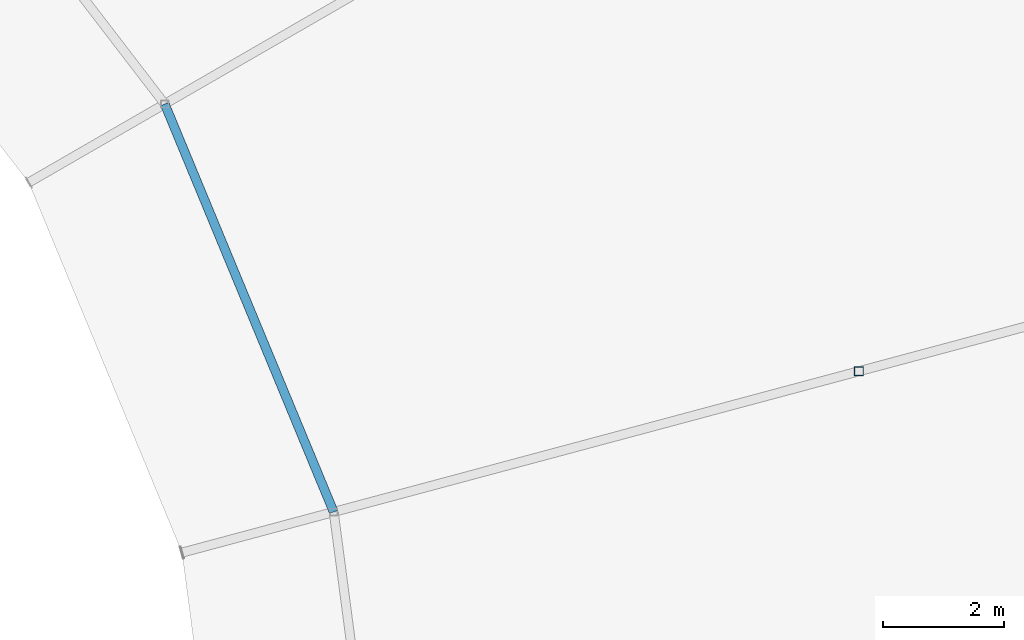
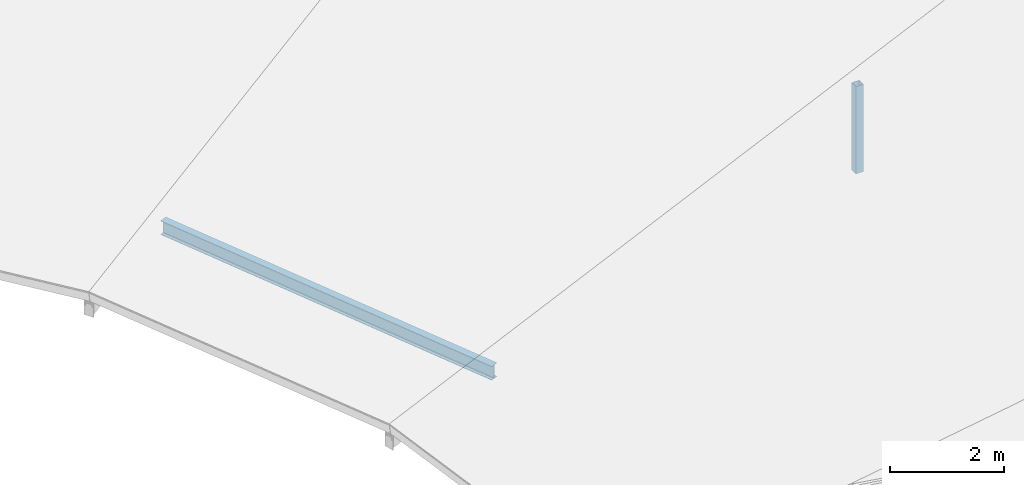
# One storey, part 116 of 200: 1 beam, 1 member.
"""IFC4 building model written with IfcOpenShell, lengths in metres."""

import ifcopenshell
import ifcopenshell.guid

model = None  # the IFC model being written
_history = None  # IfcOwnerHistory: only IFC2X3 demands one
_inside = {}  # id of a spatial element -> (the spatial element, [elements in it])
_under = {}  # id of a project, library or spatial element -> (it, [spatial elements below it])
_declared = {}  # id of a project -> (the project, [libraries it declares])
_typed = {}  # id of a type object -> (the type object, [elements of that type])
_made_of = {}  # id of a material, layer set ... -> (it, [elements and type objects made of it])


def new_model(schema):
    """Start an empty IFC model of exactly this schema.

    Asked for "IFC4X3", IfcOpenShell would pick the latest addendum, in which some entities
    have other attributes; the version numbers below select the first issue.
    IFC2X3 requires an IfcOwnerHistory on every rooted entity: one is made here for all.
    """
    global model, _history
    if schema == "IFC4X3":
        model = ifcopenshell.file(schema_version=(4, 3, 0, 0))
    else:
        model = ifcopenshell.file(schema=schema)
    _inside.clear()
    _under.clear()
    _declared.clear()
    _typed.clear()
    _made_of.clear()
    _history = None
    if model.schema == "IFC2X3":
        org = make("IfcOrganization", Name="unknown")
        user = make(
            "IfcPersonAndOrganization",
            ThePerson=make("IfcPerson", FamilyName="unknown"),
            TheOrganization=org,
        )
        app = make(
            "IfcApplication",
            ApplicationDeveloper=org,
            Version="unknown",
            ApplicationFullName="unknown",
            ApplicationIdentifier="unknown",
        )
        _history = make(
            "IfcOwnerHistory",
            OwningUser=user,
            OwningApplication=app,
            ChangeAction="ADDED",
            CreationDate=0,
        )
    return model


def make(cls, **values):
    """One entity of the class cls with the attributes given. An attribute that is None is left unset."""
    return model.create_entity(
        cls, **{name: value for name, value in values.items() if value is not None}
    )


def rooted(cls, **values):
    """An entity with a GlobalId (a new one), such as an element, a storey or a relation."""
    return make(cls, GlobalId=ifcopenshell.guid.new(), OwnerHistory=_history, **values)


def si_unit(unit_type, name, prefix=None):
    """IfcSIUnit, for example si_unit("LENGTHUNIT", "METRE", prefix="MILLI")."""
    return make("IfcSIUnit", UnitType=unit_type, Prefix=prefix, Name=name)


def assignment(units):
    """IfcUnitAssignment: the units of a project."""
    return None if units is None else make("IfcUnitAssignment", Units=units)


def point(xyz):
    """IfcCartesianPoint."""
    return None if xyz is None else make("IfcCartesianPoint", Coordinates=xyz)


def direction(xyz):
    """IfcDirection."""
    return None if xyz is None else make("IfcDirection", DirectionRatios=xyz)


def frame(location, z_axis=None, x_axis=None):
    """IfcAxis2Placement3D, a coordinate frame: its origin and axes. An axis left out is left unset."""
    return make(
        "IfcAxis2Placement3D",
        Location=point(location),
        Axis=direction(z_axis),
        RefDirection=direction(x_axis),
    )


def frame_2d(location, x_axis=None):
    """IfcAxis2Placement2D, a coordinate frame in the plane: its origin and x axis."""
    return make(
        "IfcAxis2Placement2D", Location=point(location), RefDirection=direction(x_axis)
    )


def origin():
    """The frame at (0, 0, 0) with its axes left unset."""
    return frame((0.0, 0.0, 0.0))


def origin_2d():
    """The frame at (0, 0) in the plane with its x axis left unset."""
    return frame_2d((0.0, 0.0))


def place(relative_to, where):
    """IfcLocalPlacement: puts the frame where relative to a parent placement (None: the world)."""
    return make(
        "IfcLocalPlacement", PlacementRelTo=relative_to, RelativePlacement=where
    )


def context(
    kind, dimensions, precision=None, world=None, true_north=None, identifier=None
):
    """IfcGeometricRepresentationContext, for example the 3D "Model" context."""
    return make(
        "IfcGeometricRepresentationContext",
        ContextIdentifier=identifier,
        ContextType=kind,
        CoordinateSpaceDimension=dimensions,
        Precision=precision,
        WorldCoordinateSystem=world,
        TrueNorth=true_north,
    )


def subcontext(parent, identifier, kind, view, scale=None):
    """IfcGeometricRepresentationSubContext, for example "Body" below "Model"."""
    return make(
        "IfcGeometricRepresentationSubContext",
        ContextIdentifier=identifier,
        ContextType=kind,
        ParentContext=parent,
        TargetScale=scale,
        TargetView=view,
    )


def project(units=None, contexts=None):
    """IfcProject with its units and contexts."""
    return rooted(
        "IfcProject",
        Name="project",
        RepresentationContexts=contexts,
        UnitsInContext=assignment(units),
    )


def spatial(cls, under=None, at=None, **own):
    """A site, building, storey or space (cls), placed at a placement, below another one or the project."""
    s = rooted(cls, ObjectPlacement=at, **own)
    if under is not None:
        _under.setdefault(under.id(), (under, []))[1].append(s)
    return s


def profile(cls, at=None, kind="AREA", **sizes):
    """A parametric profile (cls). Its sizes go by their IFC names, for example OverallWidth=200.0."""
    return make(cls, ProfileType=kind, Position=at, **sizes)


def hollow_rectangle(**sizes):
    """IfcRectangleHollowProfileDef."""
    return profile("IfcRectangleHollowProfileDef", **sizes)


def i_section(**sizes):
    """IfcIShapeProfileDef."""
    return profile("IfcIShapeProfileDef", **sizes)


def extrude(swept, where, along, depth):
    """IfcExtrudedAreaSolid: the profile swept, set in the frame where, extruded along a direction by depth."""
    return make(
        "IfcExtrudedAreaSolid",
        SweptArea=swept,
        Position=where,
        ExtrudedDirection=direction(along),
        Depth=depth,
    )


def shape(context_of_items, identifier, shape_type, items):
    """IfcShapeRepresentation: the items that make up one representation, for example the "Body"."""
    return make(
        "IfcShapeRepresentation",
        ContextOfItems=context_of_items,
        RepresentationIdentifier=identifier,
        RepresentationType=shape_type,
        Items=items,
    )


def material(Name=None, Category=None):
    """IfcMaterial."""
    return make("IfcMaterial", Name=Name, Category=Category)


def material_profile(
    of_material, cross_section, Name=None, Category=None, Priority=None
):
    """IfcMaterialProfile: a cross section and its material."""
    return make(
        "IfcMaterialProfile",
        Name=Name,
        Material=of_material,
        Profile=cross_section,
        Priority=Priority,
        Category=Category,
    )


def profile_set(profiles, Name=None, composite=None):
    """IfcMaterialProfileSet."""
    return make(
        "IfcMaterialProfileSet",
        Name=Name,
        MaterialProfiles=profiles,
        CompositeProfile=composite,
    )


def made_of(thing, what):
    """Note that an element or type object is made of a material, layer set ...; save() writes the relation."""
    if what is not None:
        _made_of.setdefault(what.id(), (what, []))[1].append(thing)
    return thing


def type_object(cls, material=None, **own):
    """A type object (cls), such as IfcWallType, which elements share."""
    return made_of(rooted(cls, **own), material)


def element(
    cls,
    number,
    at=None,
    inside=None,
    cuts=None,
    type_object=None,
    material=None,
    context=None,
    identifier="Body",
    shape_type=None,
    held_by="IfcProductDefinitionShape",
    body=None,
    shapes=None,
    **own,
):
    """One element of the class cls, such as IfcWall. Its Tag is "e" and its number.

    at: its placement. inside: the storey or other place that contains it. cuts: it is an
    opening in that element (IfcRelVoidsElement). A single representation is given by context,
    identifier, shape_type and body (its items); several are given by shapes. held_by: the class
    of the entity that holds the representations. save() writes the other relations.
    """
    e = rooted(cls, Tag="e%d" % number, ObjectPlacement=at, **own)
    if body is not None:
        shapes = [shape(context, identifier, shape_type, body)]
    if shapes is not None:
        e.Representation = make(held_by, Representations=shapes)
    if inside is not None:
        _inside.setdefault(inside.id(), (inside, []))[1].append(e)
    if cuts is not None:
        rooted(
            "IfcRelVoidsElement", RelatingBuildingElement=cuts, RelatedOpeningElement=e
        )
    if type_object is not None:
        _typed.setdefault(type_object.id(), (type_object, []))[1].append(e)
    return made_of(e, material)


def aggregate(whole, parts):
    """IfcRelAggregates: a whole, such as a stair, and the parts it consists of."""
    return rooted("IfcRelAggregates", RelatingObject=whole, RelatedObjects=parts)


def save(model, path):
    """Write the relations noted so far, then the file.

    IfcRelAggregates (storeys below a building ...), IfcRelContainedInSpatialStructure (elements
    in a storey), IfcRelDefinesByType, IfcRelAssociatesMaterial and IfcRelDeclares: one each for
    every whole, place, type object, material and project.
    """
    for whole, parts in _under.values():
        aggregate(whole, parts)
    for where, things in _inside.values():
        rooted(
            "IfcRelContainedInSpatialStructure",
            RelatedElements=things,
            RelatingStructure=where,
        )
    for kind, things in _typed.values():
        rooted("IfcRelDefinesByType", RelatedObjects=things, RelatingType=kind)
    for what, things in _made_of.values():
        rooted("IfcRelAssociatesMaterial", RelatedObjects=things, RelatingMaterial=what)
    for by, libraries in _declared.values():
        rooted("IfcRelDeclares", RelatingContext=by, RelatedDefinitions=libraries)
    model.write(path)


model = new_model("IFC4")

# Units and contexts
model_context = context("Model", 3, precision=1e-05, world=origin(), true_north=direction((0.0, 1.0)))
body_context = subcontext(model_context, "Body", "Model", "MODEL_VIEW")
ifc_project = project(units=[si_unit("LENGTHUNIT", "METRE"), si_unit("AREAUNIT", "SQUARE_METRE"), si_unit("VOLUMEUNIT", "CUBIC_METRE"), si_unit("PLANEANGLEUNIT", "RADIAN"), si_unit("MASSUNIT", "GRAM", prefix="KILO")], contexts=[model_context])

# Site, building, storey
site_placement = place(None, origin())
site = spatial("IfcSite", under=ifc_project, at=site_placement, CompositionType="ELEMENT")
building_placement = place(site_placement, origin())
building = spatial("IfcBuilding", under=site, at=building_placement, Name="Vondelvale Polytechnic", CompositionType="ELEMENT")
storey_placement = place(building_placement, frame((0.0, 0.0, 13.800048828125)))
storey = spatial("IfcBuildingStorey", under=building, at=storey_placement, Name="L03", CompositionType="ELEMENT", Elevation=13.800048828125)

# Beam
ifc_material_1 = material(Name="Steel 300PLUS (fy = 300 MPa)", Category="steel")
ifc_material_profile_1 = material_profile(ifc_material_1, i_section(OverallWidth=0.14892578125, OverallDepth=0.298095703125, WebThickness=0.005615234375, FlangeThickness=0.008056640625, FilletRadius=0.011474609375, at=origin_2d()), Name="310UB32.0")
ifc_profile_set_1 = profile_set([ifc_material_profile_1], Name="Steel 300PLUS (fy = 300 MPa)")
beam_type = type_object("IfcBeamType", Name="BM-UB310L", PredefinedType="BEAM", material=ifc_profile_set_1)
beam_placement = place(storey_placement, frame((129.0458984375, 79.246826171875, 0.16259765625), z_axis=(-0.382667428841, 0.923886161226, 0.0), x_axis=(-0.923886161226, -0.382667428841, 0.0)))
element("IfcBeam", 1, at=beam_placement, inside=storey, type_object=beam_type, Name="L03 RE B-25", PredefinedType="BEAM", context=body_context, shape_type="SweptSolid", body=[
    extrude(i_section(OverallWidth=0.14892578125, OverallDepth=0.298095703125, WebThickness=0.005615234375, FlangeThickness=0.008056640625, FilletRadius=0.011474609375, at=origin_2d()), origin(), (0.0, 0.0, 1.0), 7.3095703125),
])

# Member
ifc_material_2 = material(Name="Steel C350L0 (fy = 350 MPa)", Category="steel")
ifc_material_profile_2 = material_profile(ifc_material_2, hollow_rectangle(XDim=0.14990234375, YDim=0.14990234375, WallThickness=0.006103515625, at=origin_2d()), Name="150x150x6.0SHS")
ifc_profile_set_2 = profile_set([ifc_material_profile_2], Name="Steel C350L0 (fy = 350 MPa)")
member_type = type_object("IfcMemberType", Name="ROOF TRUSS POST 150SHS", PredefinedType="POST", material=ifc_profile_set_2)
member_placement = place(storey_placement, frame((137.7392578125, 81.576416015625, 0.0), z_axis=(0.0, 0.0, 1.0), x_axis=(1.0, 0.0, 0.0)))
element("IfcMember", 2, at=member_placement, inside=storey, type_object=member_type, Name="Ring mid roof post 01", PredefinedType="POST", context=body_context, shape_type="SweptSolid", body=[
    extrude(hollow_rectangle(XDim=0.14990234375, YDim=0.14990234375, WallThickness=0.006103515625, at=origin_2d()), origin(), (0.0, 0.0, 1.0), 1.86572265625),
])

save(model, "model.ifc")
